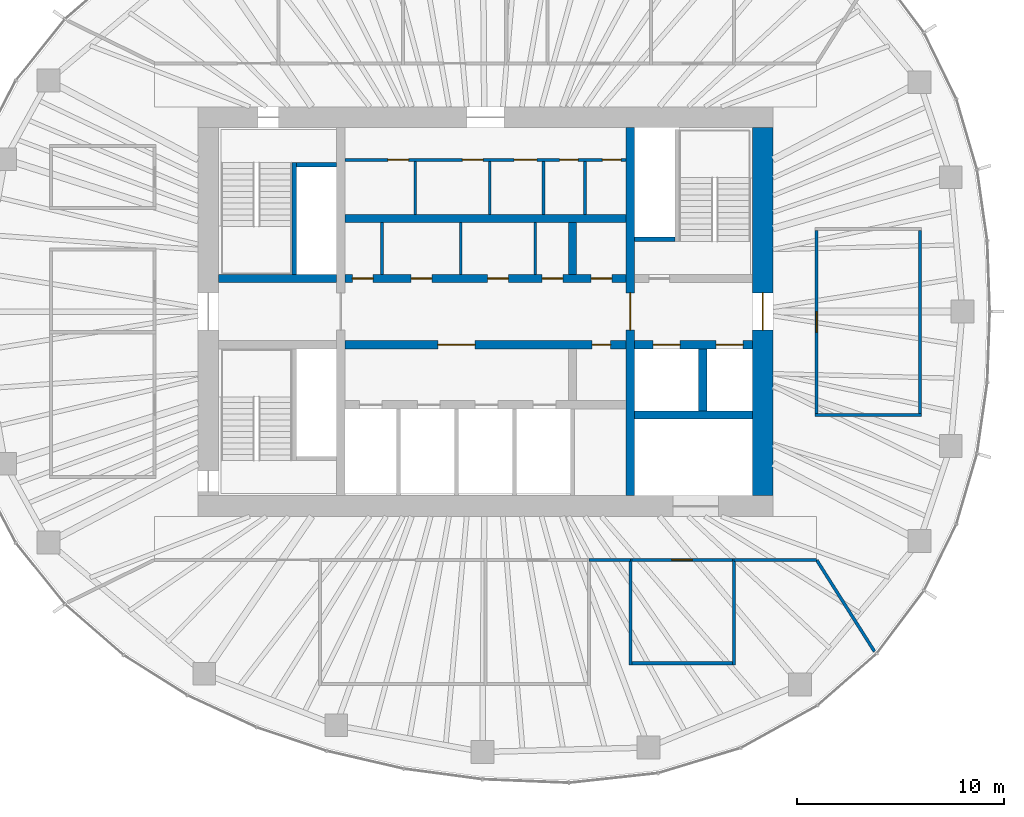
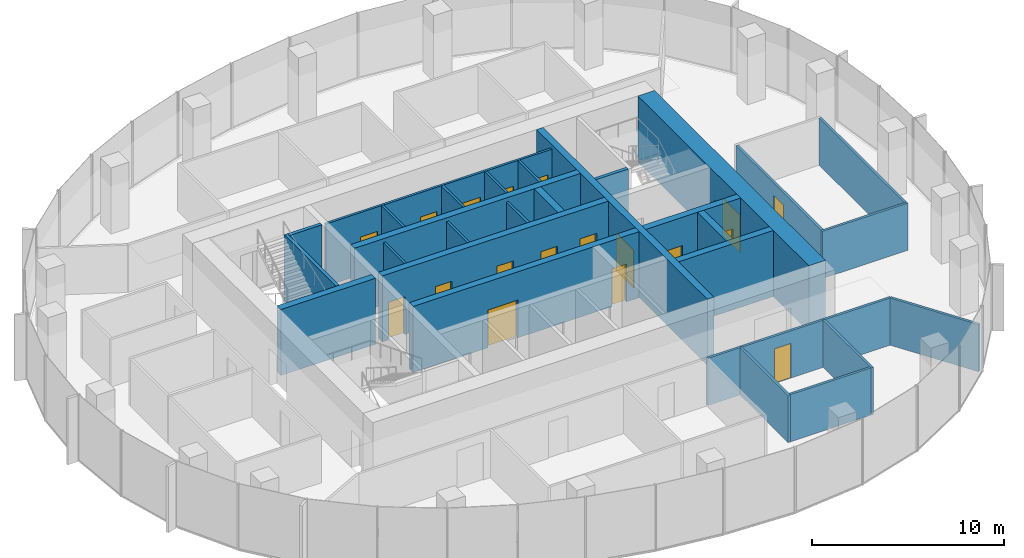
# One storey, part 9 of 11: 31 walls, 18 doors, 18 openings.
"""IFC4 building model written with IfcOpenShell, lengths in metres."""

from ifc_helpers import new_model, si_unit, direction, frame, frame_2d, origin, place, context, subcontext, project, spatial, rectangle, extrude, material, layer, layer_set, type_object, element, fill, save


model = new_model("IFC4")

# Units and contexts
model_context = context("Model", 3, precision=1e-05, world=origin(), true_north=direction((0.0, 1.0)))
body_context = subcontext(model_context, "Body", "Model", "MODEL_VIEW")
ifc_project = project(units=[si_unit("LENGTHUNIT", "METRE"), si_unit("AREAUNIT", "SQUARE_METRE"), si_unit("VOLUMEUNIT", "CUBIC_METRE"), si_unit("PLANEANGLEUNIT", "RADIAN"), si_unit("MASSUNIT", "GRAM", prefix="KILO")], contexts=[model_context])

# Site, building, storey
site_placement = place(None, origin())
site = spatial("IfcSite", under=ifc_project, at=site_placement, CompositionType="ELEMENT")
building_placement = place(site_placement, origin())
building = spatial("IfcBuilding", under=site, at=building_placement, Name="Ghaith Harvest Tower", CompositionType="ELEMENT")
storey_placement = place(building_placement, frame((0.0, 0.0, 283.800048828125)))
storey = spatial("IfcBuildingStorey", under=building, at=storey_placement, Name="L63", CompositionType="ELEMENT", Elevation=283.800048828125)

# Wall, openings, doors
ifc_material_1 = material(Name="Concrete blockwork, fair-faced", Category="masonry")
ifc_layer_1 = layer(ifc_material_1, 0.139892578125)
ifc_layer_set_1 = layer_set([ifc_layer_1], Name="CORE PARTITION 140")
wall_type_1 = type_object("IfcWallType", Name="CORE PARTITION 140", PredefinedType="PARTITIONING", material=ifc_layer_set_1)
wall_1_placement = place(storey_placement, frame((-6.800048828125, 7.330078125, 0.0), z_axis=(0.0, 0.0, 1.0), x_axis=(1.0, 0.0, 0.0)))
wall_1 = element("IfcWall", 1, at=wall_1_placement, inside=storey, type_object=wall_type_1, Name="Core partition L63", PredefinedType="PARTITIONING", context=body_context, shape_type="SweptSolid", body=[
    extrude(rectangle(XDim=13.60009765625, YDim=0.139892578125, at=frame_2d((6.800048828125, 0.0))), origin(), (0.0, 0.0, 1.0), 3.949951171875),
])
opening_1_placement = place(wall_1_placement, frame((2.080078125, 0.0, 0.0)))
opening_1 = element("IfcOpeningElement", 2, at=opening_1_placement, cuts=wall_1, Name="Opening 63-008", PredefinedType="OPENING", context=body_context, shape_type="SweptSolid", body=[
    extrude(rectangle(XDim=1.0, YDim=2.39990234375, at=frame_2d((0.5, 1.199951171875))), frame((0.0, 0.080078125, 0.0), z_axis=(0.0, -1.0, 0.0), x_axis=(1.0, 0.0, 0.0)), (0.0, 0.0, 1.0), 0.159912109375),
])
opening_2_placement = place(wall_1_placement, frame((5.679931640625, 0.0, 0.0)))
opening_2 = element("IfcOpeningElement", 3, at=opening_2_placement, cuts=wall_1, Name="Opening 63-009", PredefinedType="OPENING", context=body_context, shape_type="SweptSolid", body=[
    extrude(rectangle(XDim=1.0, YDim=2.39990234375, at=frame_2d((0.5, 1.199951171875))), frame((0.0, 0.080078125, 0.0), z_axis=(0.0, -1.0, 0.0), x_axis=(1.0, 0.0, 0.0)), (0.0, 0.0, 1.0), 0.159912109375),
])
opening_3_placement = place(wall_1_placement, frame((8.179931640625, 0.0, 0.0)))
opening_3 = element("IfcOpeningElement", 4, at=opening_3_placement, cuts=wall_1, Name="Opening 63-010", PredefinedType="OPENING", context=body_context, shape_type="SweptSolid", body=[
    extrude(rectangle(XDim=1.10009765625, YDim=2.39990234375, at=frame_2d((0.550048828125, 1.199951171875))), frame((0.0, 0.080078125, 0.0), z_axis=(0.0, -1.0, 0.0), x_axis=(1.0, 0.0, 0.0)), (0.0, 0.0, 1.0), 0.159912109375),
])
opening_4_placement = place(wall_1_placement, frame((10.3798828125, 0.0, 0.0)))
opening_4 = element("IfcOpeningElement", 5, at=opening_4_placement, cuts=wall_1, Name="Opening 63-011", PredefinedType="OPENING", context=body_context, shape_type="SweptSolid", body=[
    extrude(rectangle(XDim=0.89990234375, YDim=2.39990234375, at=frame_2d((0.449951171875, 1.199951171875))), frame((0.0, 0.080078125, 0.0), z_axis=(0.0, -1.0, 0.0), x_axis=(1.0, 0.0, 0.0)), (0.0, 0.0, 1.0), 0.159912109375),
])
opening_5_placement = place(wall_1_placement, frame((12.449951171875, 0.0, 0.0)))
opening_5 = element("IfcOpeningElement", 6, at=opening_5_placement, cuts=wall_1, Name="Opening 63-012", PredefinedType="OPENING", context=body_context, shape_type="SweptSolid", body=[
    extrude(rectangle(XDim=0.89990234375, YDim=2.39990234375, at=frame_2d((0.449951171875, 1.199951171875))), frame((0.0, 0.080078125, 0.0), z_axis=(0.0, -1.0, 0.0), x_axis=(1.0, 0.0, 0.0)), (0.0, 0.0, 1.0), 0.159912109375),
])
ifc_material_2 = material(Name="Steel fire door", Category="steel")
door_type_1 = type_object("IfcDoorType", Name="D3 FD90 1000x2400", OperationType="SINGLE_SWING_LEFT", PredefinedType="DOOR", material=ifc_material_2)
door_1_placement = place(opening_1_placement, origin())
door_1 = element("IfcDoor", 7, at=door_1_placement, inside=storey, type_object=door_type_1, Name="Male WC door", OperationType="SINGLE_SWING_LEFT", OverallHeight=2.39990234375, OverallWidth=1.0, PredefinedType="DOOR", context=body_context, shape_type="SweptSolid", body=[
    extrude(rectangle(XDim=1.0, YDim=2.39990234375, at=frame_2d((0.5, 1.199951171875))), frame((0.0, 0.02490234375, 0.0), z_axis=(0.0, -1.0, 0.0), x_axis=(1.0, 0.0, 0.0)), (0.0, 0.0, 1.0), 0.050048828125),
])
fill(opening_1, door_1)
door_2_placement = place(opening_2_placement, origin())
door_2 = element("IfcDoor", 8, at=door_2_placement, inside=storey, type_object=door_type_1, Name="Female WC door", OperationType="SINGLE_SWING_LEFT", OverallHeight=2.39990234375, OverallWidth=1.0, PredefinedType="DOOR", context=body_context, shape_type="SweptSolid", body=[
    extrude(rectangle(XDim=1.0, YDim=2.39990234375, at=frame_2d((0.5, 1.199951171875))), frame((0.0, 0.02490234375, 0.0), z_axis=(0.0, -1.0, 0.0), x_axis=(1.0, 0.0, 0.0)), (0.0, 0.0, 1.0), 0.050048828125),
])
fill(opening_2, door_2)
ifc_material_3 = material(Name="Steel fire door", Category="steel")
door_type_2 = type_object("IfcDoorType", Name="D5 FD90 900x2400", OperationType="SINGLE_SWING_LEFT", PredefinedType="DOOR", material=ifc_material_3)
door_3_placement = place(opening_4_placement, origin())
door_3 = element("IfcDoor", 9, at=door_3_placement, inside=storey, type_object=door_type_2, Name="Store door", OperationType="SINGLE_SWING_RIGHT", OverallHeight=2.39990234375, OverallWidth=0.89990234375, PredefinedType="DOOR", context=body_context, shape_type="SweptSolid", body=[
    extrude(rectangle(XDim=0.89990234375, YDim=2.39990234375, at=frame_2d((0.449951171875, 1.199951171875))), frame((0.0, 0.02490234375, 0.0), z_axis=(0.0, -1.0, 0.0), x_axis=(1.0, 0.0, 0.0)), (0.0, 0.0, 1.0), 0.050048828125),
])
fill(opening_4, door_3)
door_4_placement = place(opening_5_placement, origin())
door_4 = element("IfcDoor", 10, at=door_4_placement, inside=storey, type_object=door_type_2, Name="Cleaner's store door", OperationType="SINGLE_SWING_RIGHT", OverallHeight=2.39990234375, OverallWidth=0.89990234375, PredefinedType="DOOR", context=body_context, shape_type="SweptSolid", body=[
    extrude(rectangle(XDim=0.89990234375, YDim=2.39990234375, at=frame_2d((0.449951171875, 1.199951171875))), frame((0.0, 0.02490234375, 0.0), z_axis=(0.0, -1.0, 0.0), x_axis=(1.0, 0.0, 0.0)), (0.0, 0.0, 1.0), 0.050048828125),
])
fill(opening_5, door_4)
ifc_material_4 = material(Name="Steel fire door", Category="steel")
door_type_3 = type_object("IfcDoorType", Name="D9 FD90 1100x2400", OperationType="SINGLE_SWING_LEFT", PredefinedType="DOOR", material=ifc_material_4)
door_5_placement = place(opening_3_placement, origin())
door_5 = element("IfcDoor", 11, at=door_5_placement, inside=storey, type_object=door_type_3, Name="Accessible WC door", OperationType="SINGLE_SWING_RIGHT", OverallHeight=2.39990234375, OverallWidth=1.10009765625, PredefinedType="DOOR", context=body_context, shape_type="SweptSolid", body=[
    extrude(rectangle(XDim=1.10009765625, YDim=2.39990234375, at=frame_2d((0.550048828125, 1.199951171875))), frame((0.0, 0.02490234375, 0.0), z_axis=(0.0, -1.0, 0.0), x_axis=(1.0, 0.0, 0.0)), (0.0, 0.0, 1.0), 0.050048828125),
])
fill(opening_3, door_5)

# Walls
for number, where, z_axis, x_axis, name in (
    (12, (-3.39990234375, 4.699951171875, 0.0), (0.0, 0.0, 1.0), (0.0, 1.0, 0.0), "Core partition L63"),
    (13, (0.199951171875, 4.699951171875, 0.0), (0.0, 0.0, 1.0), (0.0, 1.0, 0.0), "Core partition L63"),
    (14, (2.800048828125, 4.699951171875, 0.0), (0.0, 0.0, 1.0), (0.0, 1.0, 0.0), "Core partition L63"),
    (15, (4.800048828125, 4.699951171875, 0.0), (0.0, 0.0, 1.0), (0.0, 1.0, 0.0), "Core partition L63"),
):
    element("IfcWall", number, at=place(storey_placement, frame(where, z_axis=z_axis, x_axis=x_axis)), inside=storey, type_object=wall_type_1, Name=name, PredefinedType="PARTITIONING", context=body_context, shape_type="SweptSolid", body=[
        extrude(rectangle(XDim=2.56005859375, YDim=0.139892578125, at=frame_2d((1.280029296875, 0.0))), origin(), (0.0, 0.0, 1.0), 3.949951171875),
    ])
for number, where, z_axis, x_axis, name in (
    (16, (-5.0, 1.800048828125, 0.0), (0.0, 0.0, 1.0), (0.0, 1.0, 0.0), "Core partition L63"),
    (17, (-1.199951171875, 1.800048828125, 0.0), (0.0, 0.0, 1.0), (0.0, 1.0, 0.0), "Core partition L63"),
    (18, (2.39990234375, 1.800048828125, 0.0), (0.0, 0.0, 1.0), (0.0, 1.0, 0.0), "Core partition L63"),
):
    element("IfcWall", number, at=place(storey_placement, frame(where, z_axis=z_axis, x_axis=x_axis)), inside=storey, type_object=wall_type_1, Name=name, PredefinedType="PARTITIONING", context=body_context, shape_type="SweptSolid", body=[
        extrude(rectangle(XDim=2.5, YDim=0.139892578125, at=frame_2d((1.25, 0.0))), origin(), (0.0, 0.0, 1.0), 3.949951171875),
    ])

# Wall, opening, door
ifc_material_5 = material(Name="Concrete C50/60", Category="concrete")
ifc_layer_2 = layer(ifc_material_5, 1.0)
ifc_layer_set_2 = layer_set([ifc_layer_2], Name="CORE WALL CW1000")
wall_type_2 = type_object("IfcWallType", Name="CORE WALL CW1000", PredefinedType="SHEAR", material=ifc_layer_set_2)
wall_2_placement = place(storey_placement, frame((13.39990234375, -8.89990234375, 0.0), z_axis=(0.0, 0.0, 1.0), x_axis=(0.0, 1.0, 0.0)))
wall_2 = element("IfcWall", 19, at=wall_2_placement, inside=storey, type_object=wall_type_2, Name="Core wall E L63", PredefinedType="SHEAR", context=body_context, shape_type="SweptSolid", body=[
    extrude(rectangle(XDim=17.7998046875, YDim=1.0, at=frame_2d((8.89990234375, 0.0))), origin(), (0.0, 0.0, 1.0), 4.199951171875),
])
opening_6_placement = place(wall_2_placement, frame((8.0, 0.0, 0.0)))
opening_6 = element("IfcOpeningElement", 20, at=opening_6_placement, cuts=wall_2, Name="Opening 63-002", PredefinedType="OPENING", context=body_context, shape_type="SweptSolid", body=[
    extrude(rectangle(XDim=1.800048828125, YDim=2.39990234375, at=frame_2d((0.89990234375, 1.199951171875))), frame((0.0, 0.510009765625, 0.0), z_axis=(0.0, -1.0, 0.0), x_axis=(1.0, 0.0, 0.0)), (0.0, 0.0, 1.0), 1.02001953125),
])
ifc_material_6 = material(Name="Steel fire door", Category="steel")
door_type_4 = type_object("IfcDoorType", Name="D4 FD90 PAIR 1800x2400", OperationType="DOUBLE_DOOR_SINGLE_SWING", PredefinedType="DOOR", material=ifc_material_6)
door_6_placement = place(opening_6_placement, origin())
door_6 = element("IfcDoor", 21, at=door_6_placement, inside=storey, type_object=door_type_4, Name="Fire-fighting lobby doors", OperationType="DOUBLE_DOOR_SINGLE_SWING", OverallHeight=2.39990234375, OverallWidth=1.800048828125, PredefinedType="DOOR", context=body_context, shape_type="SweptSolid", body=[
    extrude(rectangle(XDim=1.800048828125, YDim=2.39990234375, at=frame_2d((0.89990234375, 1.199951171875))), frame((0.0, 0.02490234375, 0.0), z_axis=(0.0, -1.0, 0.0), x_axis=(1.0, 0.0, 0.0)), (0.0, 0.0, 1.0), 0.050048828125),
])
fill(opening_6, door_6)

# Walls
ifc_material_7 = material(Name="Gypsum board on steel studs", Category="steel")
ifc_layer_3 = layer(ifc_material_7, 0.14990234375)
ifc_layer_set_3 = layer_set([ifc_layer_3], Name="PARTITION 150")
wall_type_3 = type_object("IfcWallType", Name="PARTITION 150", PredefinedType="PARTITIONING", material=ifc_layer_set_3)
for number, where, z_axis, x_axis, name in (
    (22, (7.0, -11.925048828125, 0.0), (0.0, 0.0, 1.0), (0.0, -1.0, 0.0), "Partition L63 row S2 cross wall 1"),
    (23, (12.0, -11.925048828125, 0.0), (0.0, 0.0, 1.0), (0.0, -1.0, 0.0), "Partition L63 row S2 cross wall 2"),
):
    element("IfcWall", number, at=place(storey_placement, frame(where, z_axis=z_axis, x_axis=x_axis)), inside=storey, type_object=wall_type_3, Name=name, PredefinedType="PARTITIONING", context=body_context, shape_type="SweptSolid", body=[
        extrude(rectangle(XDim=5.14990234375, YDim=0.14990234375, at=frame_2d((2.574951171875, 0.0))), origin(), (0.0, 0.0, 1.0), 3.0),
    ])

# Wall, opening, door
wall_3_placement = place(storey_placement, frame((7.074951171875, -12.0, 0.0), z_axis=(0.0, 0.0, 1.0), x_axis=(1.0, 0.0, 0.0)))
wall_3 = element("IfcWall", 24, at=wall_3_placement, inside=storey, type_object=wall_type_3, Name="Partition L63-03", PredefinedType="PARTITIONING", context=body_context, shape_type="SweptSolid", body=[
    extrude(rectangle(XDim=4.85009765625, YDim=0.14990234375, at=frame_2d((2.425048828125, 0.0))), origin(), (0.0, 0.0, 1.0), 3.0),
])
opening_7_placement = place(wall_3_placement, frame((1.925048828125, 0.0, 0.0)))
opening_7 = element("IfcOpeningElement", 25, at=opening_7_placement, cuts=wall_3, Name="Opening 63-030", PredefinedType="OPENING", context=body_context, shape_type="SweptSolid", body=[
    extrude(rectangle(XDim=1.0, YDim=2.199951171875, at=frame_2d((0.5, 1.10009765625))), frame((0.0, 0.0849609375, 0.0), z_axis=(0.0, -1.0, 0.0), x_axis=(1.0, 0.0, 0.0)), (0.0, 0.0, 1.0), 0.169921875),
])
ifc_material_8 = material(Name="Timber door", Category="wood")
door_type_5 = type_object("IfcDoorType", Name="D1 SINGLE 1000x2200", OperationType="SINGLE_SWING_LEFT", PredefinedType="DOOR", material=ifc_material_8)
door_7_placement = place(opening_7_placement, origin())
door_7 = element("IfcDoor", 26, at=door_7_placement, inside=storey, type_object=door_type_5, Name="Store door", OperationType="SINGLE_SWING_LEFT", OverallHeight=2.199951171875, OverallWidth=1.0, PredefinedType="DOOR", context=body_context, shape_type="SweptSolid", body=[
    extrude(rectangle(XDim=1.0, YDim=2.199951171875, at=frame_2d((0.5, 1.10009765625))), frame((0.0, 0.02490234375, 0.0), z_axis=(0.0, -1.0, 0.0), x_axis=(1.0, 0.0, 0.0)), (0.0, 0.0, 1.0), 0.050048828125),
])
fill(opening_7, door_7)

# Walls
wall_4_placement = place(storey_placement, frame((7.074951171875, -17.0, 0.0), z_axis=(0.0, 0.0, 1.0), x_axis=(1.0, 0.0, 0.0)))
element("IfcWall", 27, at=wall_4_placement, inside=storey, type_object=wall_type_3, Name="Partition L63-03", PredefinedType="PARTITIONING", context=body_context, shape_type="SweptSolid", body=[
    extrude(rectangle(XDim=4.85009765625, YDim=0.14990234375, at=frame_2d((2.425048828125, 0.0))), origin(), (0.0, 0.0, 1.0), 3.0),
])
wall_5_placement = place(storey_placement, frame((15.925048828125, -5.0, 0.0), z_axis=(0.0, 0.0, 1.0), x_axis=(1.0, 0.0, 0.0)))
element("IfcWall", 28, at=wall_5_placement, inside=storey, type_object=wall_type_3, Name="Partition L63 row E6 cross wall 1", PredefinedType="PARTITIONING", context=body_context, shape_type="SweptSolid", body=[
    extrude(rectangle(XDim=5.14990234375, YDim=0.14990234375, at=frame_2d((2.574951171875, 0.0))), origin(), (0.0, 0.0, 1.0), 3.0),
])

# Wall, opening, door
wall_6_placement = place(storey_placement, frame((16.0, -4.925048828125, 0.0), z_axis=(0.0, 0.0, 1.0), x_axis=(0.0, 1.0, 0.0)))
wall_6 = element("IfcWall", 29, at=wall_6_placement, inside=storey, type_object=wall_type_3, Name="Partition L63-10", PredefinedType="PARTITIONING", context=body_context, shape_type="SweptSolid", body=[
    extrude(rectangle(XDim=8.85009765625, YDim=0.14990234375, at=frame_2d((4.425048828125, 0.0))), origin(), (0.0, 0.0, 1.0), 3.0),
])
opening_8_placement = place(wall_6_placement, frame((3.925048828125, 0.0, 0.0)))
opening_8 = element("IfcOpeningElement", 30, at=opening_8_placement, cuts=wall_6, Name="Opening 63-037", PredefinedType="OPENING", context=body_context, shape_type="SweptSolid", body=[
    extrude(rectangle(XDim=1.0, YDim=2.199951171875, at=frame_2d((0.5, 1.10009765625))), frame((0.0, 0.0849609375, 0.0), z_axis=(0.0, -1.0, 0.0), x_axis=(1.0, 0.0, 0.0)), (0.0, 0.0, 1.0), 0.169921875),
])
door_8_placement = place(opening_8_placement, origin())
door_8 = element("IfcDoor", 31, at=door_8_placement, inside=storey, type_object=door_type_5, Name="Seed cleaning room door", OperationType="SINGLE_SWING_LEFT", OverallHeight=2.199951171875, OverallWidth=1.0, PredefinedType="DOOR", context=body_context, shape_type="SweptSolid", body=[
    extrude(rectangle(XDim=1.0, YDim=2.199951171875, at=frame_2d((0.5, 1.10009765625))), frame((0.0, 0.02490234375, 0.0), z_axis=(0.0, -1.0, 0.0), x_axis=(1.0, 0.0, 0.0)), (0.0, 0.0, 1.0), 0.050048828125),
])
fill(opening_8, door_8)

# Walls
wall_7_placement = place(storey_placement, frame((21.0, -4.925048828125, 0.0), z_axis=(0.0, 0.0, 1.0), x_axis=(0.0, 1.0, 0.0)))
element("IfcWall", 32, at=wall_7_placement, inside=storey, type_object=wall_type_3, Name="Partition L63-10", PredefinedType="PARTITIONING", context=body_context, shape_type="SweptSolid", body=[
    extrude(rectangle(XDim=8.85009765625, YDim=0.14990234375, at=frame_2d((4.425048828125, 0.0))), origin(), (0.0, 0.0, 1.0), 3.0),
])
wall_8_placement = place(storey_placement, frame((16.0107421875, -12.016845703125, 0.0), z_axis=(0.0, 0.0, 1.0), x_axis=(0.53415837449, -0.845384427916, 0.0)))
element("IfcWall", 33, at=wall_8_placement, inside=storey, type_object=wall_type_3, Name="Partition L63 zone division", PredefinedType="PARTITIONING", context=body_context, shape_type="SweptSolid", body=[
    extrude(rectangle(XDim=5.220458984375, YDim=0.14990234375, at=frame_2d((2.6103515625, 0.0))), origin(), (0.0, 0.0, 1.0), 3.0),
])
wall_9_placement = place(storey_placement, frame((5.0, -12.0, 0.0), z_axis=(0.0, 0.0, 1.0), x_axis=(1.0, 0.0, 0.0)))
element("IfcWall", 34, at=wall_9_placement, inside=storey, type_object=wall_type_3, Name="Partition L63 zone enclosure", PredefinedType="PARTITIONING", context=body_context, shape_type="SweptSolid", body=[
    extrude(rectangle(XDim=2.0, YDim=0.14990234375, at=frame_2d((1.0, 0.0))), origin(), (0.0, 0.0, 1.0), 3.0),
])
wall_10_placement = place(storey_placement, frame((12.0, -12.0, 0.0), z_axis=(0.0, 0.0, 1.0), x_axis=(1.0, 0.0, 0.0)))
element("IfcWall", 35, at=wall_10_placement, inside=storey, type_object=wall_type_3, Name="Partition L63 zone enclosure", PredefinedType="PARTITIONING", context=body_context, shape_type="SweptSolid", body=[
    extrude(rectangle(XDim=4.0, YDim=0.14990234375, at=frame_2d((2.0, 0.0))), origin(), (0.0, 0.0, 1.0), 3.0),
])

# Wall, opening, door
ifc_material_9 = material(Name="Concrete C70/85", Category="concrete")
ifc_layer_4 = layer(ifc_material_9, 0.39990234375)
ifc_layer_set_4 = layer_set([ifc_layer_4], Name="SHAFT WALL 400")
wall_type_4 = type_object("IfcWallType", Name="SHAFT WALL 400", PredefinedType="SHEAR", material=ifc_layer_set_4)
wall_11_placement = place(storey_placement, frame((7.0, -8.89990234375, 0.0), z_axis=(0.0, 0.0, 1.0), x_axis=(0.0, 1.0, 0.0)))
wall_11 = element("IfcWall", 36, at=wall_11_placement, inside=storey, type_object=wall_type_4, Name="Shaft wall W7E L63", PredefinedType="SHEAR", context=body_context, shape_type="SweptSolid", body=[
    extrude(rectangle(XDim=17.7998046875, YDim=0.39990234375, at=frame_2d((8.89990234375, 0.0))), origin(), (0.0, 0.0, 1.0), 4.199951171875),
])
opening_9_placement = place(wall_11_placement, frame((8.0, 0.0, 0.0)))
opening_9 = element("IfcOpeningElement", 37, at=opening_9_placement, cuts=wall_11, Name="Opening 63-004", PredefinedType="OPENING", context=body_context, shape_type="SweptSolid", body=[
    extrude(rectangle(XDim=1.800048828125, YDim=2.39990234375, at=frame_2d((0.89990234375, 1.199951171875))), frame((0.0, 0.2099609375, 0.0), z_axis=(0.0, -1.0, 0.0), x_axis=(1.0, 0.0, 0.0)), (0.0, 0.0, 1.0), 0.419921875),
])
door_9_placement = place(opening_9_placement, origin())
door_9 = element("IfcDoor", 38, at=door_9_placement, inside=storey, type_object=door_type_4, Name="Lift lobby doors, east", OperationType="DOUBLE_DOOR_SINGLE_SWING", OverallHeight=2.39990234375, OverallWidth=1.800048828125, PredefinedType="DOOR", context=body_context, shape_type="SweptSolid", body=[
    extrude(rectangle(XDim=1.800048828125, YDim=2.39990234375, at=frame_2d((0.89990234375, 1.199951171875))), frame((0.0, 0.02490234375, 0.0), z_axis=(0.0, -1.0, 0.0), x_axis=(1.0, 0.0, 0.0)), (0.0, 0.0, 1.0), 0.050048828125),
])
fill(opening_9, door_9)

# Wall, openings, doors
wall_12_placement = place(storey_placement, frame((-6.800048828125, 1.60009765625, 0.0), z_axis=(0.0, 0.0, 1.0), x_axis=(1.0, 0.0, 0.0)))
wall_12 = element("IfcWall", 39, at=wall_12_placement, inside=storey, type_object=wall_type_4, Name="Shaft wall LN L63", PredefinedType="SHEAR", context=body_context, shape_type="SweptSolid", body=[
    extrude(rectangle(XDim=13.60009765625, YDim=0.39990234375, at=frame_2d((6.800048828125, 0.0))), origin(), (0.0, 0.0, 1.0), 4.199951171875),
])
opening_10_placement = place(wall_12_placement, frame((0.364990234375, 0.0, 0.0)))
opening_10 = element("IfcOpeningElement", 40, at=opening_10_placement, cuts=wall_12, Name="Opening 63-013", PredefinedType="OPENING", context=body_context, shape_type="SweptSolid", body=[
    extrude(rectangle(XDim=1.0, YDim=2.39990234375, at=frame_2d((0.5, 1.199951171875))), frame((0.0, 0.2099609375, 0.0), z_axis=(0.0, -1.0, 0.0), x_axis=(1.0, 0.0, 0.0)), (0.0, 0.0, 1.0), 0.419921875),
])
opening_11_placement = place(wall_12_placement, frame((3.199951171875, 0.0, 0.0)))
opening_11 = element("IfcOpeningElement", 41, at=opening_11_placement, cuts=wall_12, Name="Opening 63-014", PredefinedType="OPENING", context=body_context, shape_type="SweptSolid", body=[
    extrude(rectangle(XDim=1.0, YDim=2.39990234375, at=frame_2d((0.5, 1.199951171875))), frame((0.0, 0.2099609375, 0.0), z_axis=(0.0, -1.0, 0.0), x_axis=(1.0, 0.0, 0.0)), (0.0, 0.0, 1.0), 0.419921875),
])
opening_12_placement = place(wall_12_placement, frame((6.89990234375, 0.0, 0.0)))
opening_12 = element("IfcOpeningElement", 42, at=opening_12_placement, cuts=wall_12, Name="Opening 63-015", PredefinedType="OPENING", context=body_context, shape_type="SweptSolid", body=[
    extrude(rectangle(XDim=1.0, YDim=2.39990234375, at=frame_2d((0.5, 1.199951171875))), frame((0.0, 0.2099609375, 0.0), z_axis=(0.0, -1.0, 0.0), x_axis=(1.0, 0.0, 0.0)), (0.0, 0.0, 1.0), 0.419921875),
])
opening_13_placement = place(wall_12_placement, frame((9.534912109375, 0.0, 0.0)))
opening_13 = element("IfcOpeningElement", 43, at=opening_13_placement, cuts=wall_12, Name="Opening 63-016", PredefinedType="OPENING", context=body_context, shape_type="SweptSolid", body=[
    extrude(rectangle(XDim=1.0, YDim=2.39990234375, at=frame_2d((0.5, 1.199951171875))), frame((0.0, 0.2099609375, 0.0), z_axis=(0.0, -1.0, 0.0), x_axis=(1.0, 0.0, 0.0)), (0.0, 0.0, 1.0), 0.419921875),
])
opening_14_placement = place(wall_12_placement, frame((11.89990234375, 0.0, 0.0)))
opening_14 = element("IfcOpeningElement", 44, at=opening_14_placement, cuts=wall_12, Name="Opening 63-017", PredefinedType="OPENING", context=body_context, shape_type="SweptSolid", body=[
    extrude(rectangle(XDim=1.0, YDim=2.39990234375, at=frame_2d((0.5, 1.199951171875))), frame((0.0, 0.2099609375, 0.0), z_axis=(0.0, -1.0, 0.0), x_axis=(1.0, 0.0, 0.0)), (0.0, 0.0, 1.0), 0.419921875),
])
door_10_placement = place(opening_10_placement, origin())
door_10 = element("IfcDoor", 45, at=door_10_placement, inside=storey, type_object=door_type_1, Name="Electrical room door", OperationType="SINGLE_SWING_LEFT", OverallHeight=2.39990234375, OverallWidth=1.0, PredefinedType="DOOR", context=body_context, shape_type="SweptSolid", body=[
    extrude(rectangle(XDim=1.0, YDim=2.39990234375, at=frame_2d((0.5, 1.199951171875))), frame((0.0, 0.02490234375, 0.0), z_axis=(0.0, -1.0, 0.0), x_axis=(1.0, 0.0, 0.0)), (0.0, 0.0, 1.0), 0.050048828125),
])
fill(opening_10, door_10)
door_11_placement = place(opening_11_placement, origin())
door_11 = element("IfcDoor", 46, at=door_11_placement, inside=storey, type_object=door_type_1, Name="Tea point door", OperationType="SINGLE_SWING_LEFT", OverallHeight=2.39990234375, OverallWidth=1.0, PredefinedType="DOOR", context=body_context, shape_type="SweptSolid", body=[
    extrude(rectangle(XDim=1.0, YDim=2.39990234375, at=frame_2d((0.5, 1.199951171875))), frame((0.0, 0.02490234375, 0.0), z_axis=(0.0, -1.0, 0.0), x_axis=(1.0, 0.0, 0.0)), (0.0, 0.0, 1.0), 0.050048828125),
])
fill(opening_11, door_11)
door_12_placement = place(opening_12_placement, origin())
door_12 = element("IfcDoor", 47, at=door_12_placement, inside=storey, type_object=door_type_1, Name="IT equipment room door", OperationType="SINGLE_SWING_RIGHT", OverallHeight=2.39990234375, OverallWidth=1.0, PredefinedType="DOOR", context=body_context, shape_type="SweptSolid", body=[
    extrude(rectangle(XDim=1.0, YDim=2.39990234375, at=frame_2d((0.5, 1.199951171875))), frame((0.0, 0.02490234375, 0.0), z_axis=(0.0, -1.0, 0.0), x_axis=(1.0, 0.0, 0.0)), (0.0, 0.0, 1.0), 0.050048828125),
])
fill(opening_12, door_12)
door_13_placement = place(opening_13_placement, origin())
door_13 = element("IfcDoor", 48, at=door_13_placement, inside=storey, type_object=door_type_1, Name="Staff WC door", OperationType="SINGLE_SWING_RIGHT", OverallHeight=2.39990234375, OverallWidth=1.0, PredefinedType="DOOR", context=body_context, shape_type="SweptSolid", body=[
    extrude(rectangle(XDim=1.0, YDim=2.39990234375, at=frame_2d((0.5, 1.199951171875))), frame((0.0, 0.02490234375, 0.0), z_axis=(0.0, -1.0, 0.0), x_axis=(1.0, 0.0, 0.0)), (0.0, 0.0, 1.0), 0.050048828125),
])
fill(opening_13, door_13)
door_14_placement = place(opening_14_placement, origin())
door_14 = element("IfcDoor", 49, at=door_14_placement, inside=storey, type_object=door_type_1, Name="Staff WC door", OperationType="SINGLE_SWING_RIGHT", OverallHeight=2.39990234375, OverallWidth=1.0, PredefinedType="DOOR", context=body_context, shape_type="SweptSolid", body=[
    extrude(rectangle(XDim=1.0, YDim=2.39990234375, at=frame_2d((0.5, 1.199951171875))), frame((0.0, 0.02490234375, 0.0), z_axis=(0.0, -1.0, 0.0), x_axis=(1.0, 0.0, 0.0)), (0.0, 0.0, 1.0), 0.050048828125),
])
fill(opening_14, door_14)

wall_13_placement = place(storey_placement, frame((-6.800048828125, -1.60009765625, 0.0), z_axis=(0.0, 0.0, 1.0), x_axis=(1.0, 0.0, 0.0)))
wall_13 = element("IfcWall", 50, at=wall_13_placement, inside=storey, type_object=wall_type_4, Name="Shaft wall LS L63", PredefinedType="SHEAR", context=body_context, shape_type="SweptSolid", body=[
    extrude(rectangle(XDim=13.60009765625, YDim=0.39990234375, at=frame_2d((6.800048828125, 0.0))), origin(), (0.0, 0.0, 1.0), 4.199951171875),
])
opening_15_placement = place(wall_13_placement, frame((11.949951171875, 0.0, 0.0)))
opening_15 = element("IfcOpeningElement", 51, at=opening_15_placement, cuts=wall_13, Name="Opening 63-018", PredefinedType="OPENING", context=body_context, shape_type="SweptSolid", body=[
    extrude(rectangle(XDim=0.89990234375, YDim=2.39990234375, at=frame_2d((0.449951171875, 1.199951171875))), frame((0.0, 0.2099609375, 0.0), z_axis=(0.0, -1.0, 0.0), x_axis=(1.0, 0.0, 0.0)), (0.0, 0.0, 1.0), 0.419921875),
])
opening_16_placement = place(wall_13_placement, frame((4.5, 0.0, 0.0)))
opening_16 = element("IfcOpeningElement", 52, at=opening_16_placement, cuts=wall_13, Name="Opening 63-019", PredefinedType="OPENING", context=body_context, shape_type="SweptSolid", body=[
    extrude(rectangle(XDim=1.800048828125, YDim=2.39990234375, at=frame_2d((0.89990234375, 1.199951171875))), frame((0.0, 0.2099609375, 0.0), z_axis=(0.0, -1.0, 0.0), x_axis=(1.0, 0.0, 0.0)), (0.0, 0.0, 1.0), 0.419921875),
])
door_15_placement = place(opening_16_placement, origin())
door_15 = element("IfcDoor", 53, at=door_15_placement, inside=storey, type_object=door_type_4, Name="Lift lobby doors, upper-zone bank", OperationType="DOUBLE_DOOR_SINGLE_SWING", OverallHeight=2.39990234375, OverallWidth=1.800048828125, PredefinedType="DOOR", context=body_context, shape_type="SweptSolid", body=[
    extrude(rectangle(XDim=1.800048828125, YDim=2.39990234375, at=frame_2d((0.89990234375, 1.199951171875))), frame((0.0, 0.02490234375, 0.0), z_axis=(0.0, -1.0, 0.0), x_axis=(1.0, 0.0, 0.0)), (0.0, 0.0, 1.0), 0.050048828125),
])
fill(opening_16, door_15)
door_16_placement = place(opening_15_placement, origin())
door_16 = element("IfcDoor", 54, at=door_16_placement, inside=storey, type_object=door_type_2, Name="Lobby store door", OperationType="SINGLE_SWING_RIGHT", OverallHeight=2.39990234375, OverallWidth=0.89990234375, PredefinedType="DOOR", context=body_context, shape_type="SweptSolid", body=[
    extrude(rectangle(XDim=0.89990234375, YDim=2.39990234375, at=frame_2d((0.449951171875, 1.199951171875))), frame((0.0, 0.02490234375, 0.0), z_axis=(0.0, -1.0, 0.0), x_axis=(1.0, 0.0, 0.0)), (0.0, 0.0, 1.0), 0.050048828125),
])
fill(opening_15, door_16)

# Walls
wall_14_placement = place(storey_placement, frame((-6.800048828125, 4.5, 0.0), z_axis=(0.0, 0.0, 1.0), x_axis=(1.0, 0.0, 0.0)))
element("IfcWall", 55, at=wall_14_placement, inside=storey, type_object=wall_type_4, Name="Shaft wall BN L63", PredefinedType="SHEAR", context=body_context, shape_type="SweptSolid", body=[
    extrude(rectangle(XDim=13.60009765625, YDim=0.39990234375, at=frame_2d((6.800048828125, 0.0))), origin(), (0.0, 0.0, 1.0), 4.199951171875),
])
wall_15_placement = place(storey_placement, frame((-12.89990234375, 1.60009765625, 0.0), z_axis=(0.0, 0.0, 1.0), x_axis=(1.0, 0.0, 0.0)))
element("IfcWall", 56, at=wall_15_placement, inside=storey, type_object=wall_type_4, Name="Shaft wall WN L63", PredefinedType="SHEAR", context=body_context, shape_type="SweptSolid", body=[
    extrude(rectangle(XDim=5.699951171875, YDim=0.39990234375, at=frame_2d((2.85009765625, 0.0))), origin(), (0.0, 0.0, 1.0), 4.199951171875),
])

# Wall, openings, doors
wall_16_placement = place(storey_placement, frame((7.199951171875, -1.60009765625, 0.0), z_axis=(0.0, 0.0, 1.0), x_axis=(1.0, 0.0, 0.0)))
wall_16 = element("IfcWall", 57, at=wall_16_placement, inside=storey, type_object=wall_type_4, Name="Shaft wall ES L63", PredefinedType="SHEAR", context=body_context, shape_type="SweptSolid", body=[
    extrude(rectangle(XDim=5.699951171875, YDim=0.39990234375, at=frame_2d((2.85009765625, 0.0))), origin(), (0.0, 0.0, 1.0), 4.199951171875),
])
opening_17_placement = place(wall_16_placement, frame((0.89990234375, 0.0, 0.0)))
opening_17 = element("IfcOpeningElement", 58, at=opening_17_placement, cuts=wall_16, Name="Opening 63-025", PredefinedType="OPENING", context=body_context, shape_type="SweptSolid", body=[
    extrude(rectangle(XDim=1.300048828125, YDim=2.39990234375, at=frame_2d((0.64990234375, 1.199951171875))), frame((0.0, 0.2099609375, 0.0), z_axis=(0.0, -1.0, 0.0), x_axis=(1.0, 0.0, 0.0)), (0.0, 0.0, 1.0), 0.419921875),
])
opening_18_placement = place(wall_16_placement, frame((3.949951171875, 0.0, 0.0)))
opening_18 = element("IfcOpeningElement", 59, at=opening_18_placement, cuts=wall_16, Name="Opening 63-026", PredefinedType="OPENING", context=body_context, shape_type="SweptSolid", body=[
    extrude(rectangle(XDim=1.300048828125, YDim=2.39990234375, at=frame_2d((0.64990234375, 1.199951171875))), frame((0.0, 0.2099609375, 0.0), z_axis=(0.0, -1.0, 0.0), x_axis=(1.0, 0.0, 0.0)), (0.0, 0.0, 1.0), 0.419921875),
])
ifc_material_10 = material(Name="Steel fire door", Category="steel")
door_type_6 = type_object("IfcDoorType", Name="LD2 LANDING 1300x2400", OperationType="DOUBLE_DOOR_SLIDING", PredefinedType="DOOR", material=ifc_material_10)
door_17_placement = place(opening_17_placement, origin())
door_17 = element("IfcDoor", 60, at=door_17_placement, inside=storey, type_object=door_type_6, Name="Landing door, fire service lift FL1", OperationType="DOUBLE_DOOR_SLIDING", OverallHeight=2.39990234375, OverallWidth=1.300048828125, PredefinedType="DOOR", context=body_context, shape_type="SweptSolid", body=[
    extrude(rectangle(XDim=1.300048828125, YDim=2.39990234375, at=frame_2d((0.64990234375, 1.199951171875))), frame((0.0, 0.02490234375, 0.0), z_axis=(0.0, -1.0, 0.0), x_axis=(1.0, 0.0, 0.0)), (0.0, 0.0, 1.0), 0.050048828125),
])
fill(opening_17, door_17)
door_18_placement = place(opening_18_placement, origin())
door_18 = element("IfcDoor", 61, at=door_18_placement, inside=storey, type_object=door_type_6, Name="Landing door, fire service lift FL2", OperationType="DOUBLE_DOOR_SLIDING", OverallHeight=2.39990234375, OverallWidth=1.300048828125, PredefinedType="DOOR", context=body_context, shape_type="SweptSolid", body=[
    extrude(rectangle(XDim=1.300048828125, YDim=2.39990234375, at=frame_2d((0.64990234375, 1.199951171875))), frame((0.0, 0.02490234375, 0.0), z_axis=(0.0, -1.0, 0.0), x_axis=(1.0, 0.0, 0.0)), (0.0, 0.0, 1.0), 0.050048828125),
])
fill(opening_18, door_18)

# Walls
wall_17_placement = place(storey_placement, frame((10.5, -4.800048828125, 0.0), z_axis=(0.0, 0.0, 1.0), x_axis=(0.0, 1.0, 0.0)))
element("IfcWall", 62, at=wall_17_placement, inside=storey, type_object=wall_type_4, Name="Shaft wall FLD L63", PredefinedType="SHEAR", context=body_context, shape_type="SweptSolid", body=[
    extrude(rectangle(XDim=3.0, YDim=0.39990234375, at=frame_2d((1.5, 0.0))), origin(), (0.0, 0.0, 1.0), 4.199951171875),
])
wall_18_placement = place(storey_placement, frame((7.199951171875, -5.0, 0.0), z_axis=(0.0, 0.0, 1.0), x_axis=(1.0, 0.0, 0.0)))
element("IfcWall", 63, at=wall_18_placement, inside=storey, type_object=wall_type_4, Name="Shaft wall FLB L63", PredefinedType="SHEAR", context=body_context, shape_type="SweptSolid", body=[
    extrude(rectangle(XDim=5.699951171875, YDim=0.39990234375, at=frame_2d((2.85009765625, 0.0))), origin(), (0.0, 0.0, 1.0), 4.199951171875),
])
wall_19_placement = place(storey_placement, frame((4.199951171875, 1.800048828125, 0.0), z_axis=(0.0, 0.0, 1.0), x_axis=(0.0, 1.0, 0.0)))
element("IfcWall", 64, at=wall_19_placement, inside=storey, type_object=wall_type_4, Name="Shaft wall DN4 L63", PredefinedType="SHEAR", context=body_context, shape_type="SweptSolid", body=[
    extrude(rectangle(XDim=2.5, YDim=0.39990234375, at=frame_2d((1.25, 0.0))), origin(), (0.0, 0.0, 1.0), 4.199951171875),
])
ifc_material_11 = material(Name="Concrete C40/50", Category="concrete")
ifc_layer_5 = layer(ifc_material_11, 0.199951171875)
ifc_layer_set_5 = layer_set([ifc_layer_5], Name="STAIR SPINE WALL RC200")
wall_type_5 = type_object("IfcWallType", Name="STAIR SPINE WALL RC200", PredefinedType="SOLIDWALL", material=ifc_layer_set_5)
wall_20_placement = place(storey_placement, frame((-9.25, 7.199951171875, 0.0), z_axis=(0.0, 0.0, 1.0), x_axis=(0.0, -1.0, 0.0)))
element("IfcWall", 65, at=wall_20_placement, inside=storey, type_object=wall_type_5, Name="Stair ST1 spine wall L63", PredefinedType="SOLIDWALL", context=body_context, shape_type="SweptSolid", body=[
    extrude(rectangle(XDim=5.39990234375, YDim=0.199951171875, at=frame_2d((2.699951171875, 0.0))), origin(), (0.0, 0.0, 1.0), 4.199951171875),
])
for number, where, z_axis, x_axis, name in (
    (66, (-9.14990234375, 7.10009765625, 0.0), (0.0, 0.0, 1.0), (1.0, 0.0, 0.0), "Stair ST1 spine wall return L63"),
    (67, (9.14990234375, 3.5, 0.0), (0.0, 0.0, 1.0), (-1.0, 0.0, 0.0), "Stair ST2 spine wall return L63"),
):
    element("IfcWall", number, at=place(storey_placement, frame(where, z_axis=z_axis, x_axis=x_axis)), inside=storey, type_object=wall_type_5, Name=name, PredefinedType="SOLIDWALL", context=body_context, shape_type="SweptSolid", body=[
        extrude(rectangle(XDim=1.949951171875, YDim=0.199951171875, at=frame_2d((0.97509765625, 0.0))), origin(), (0.0, 0.0, 1.0), 4.199951171875),
    ])

save(model, "model.ifc")
